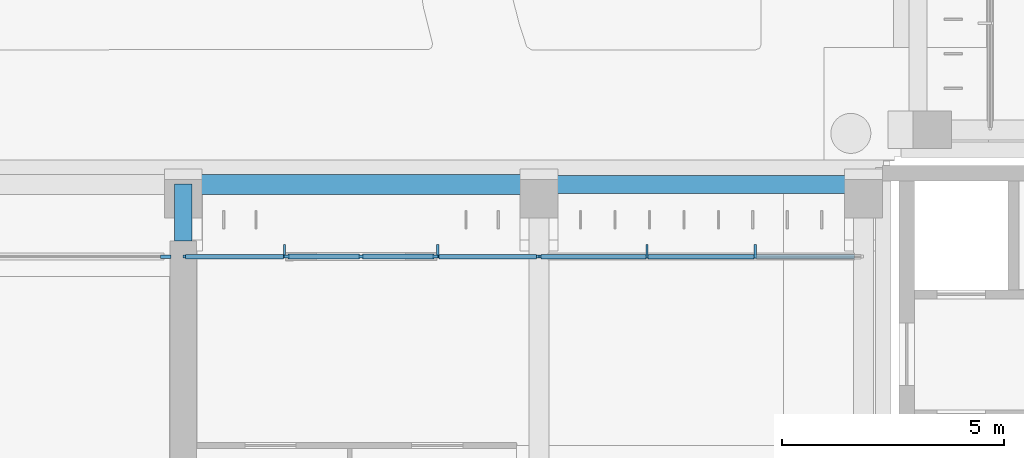
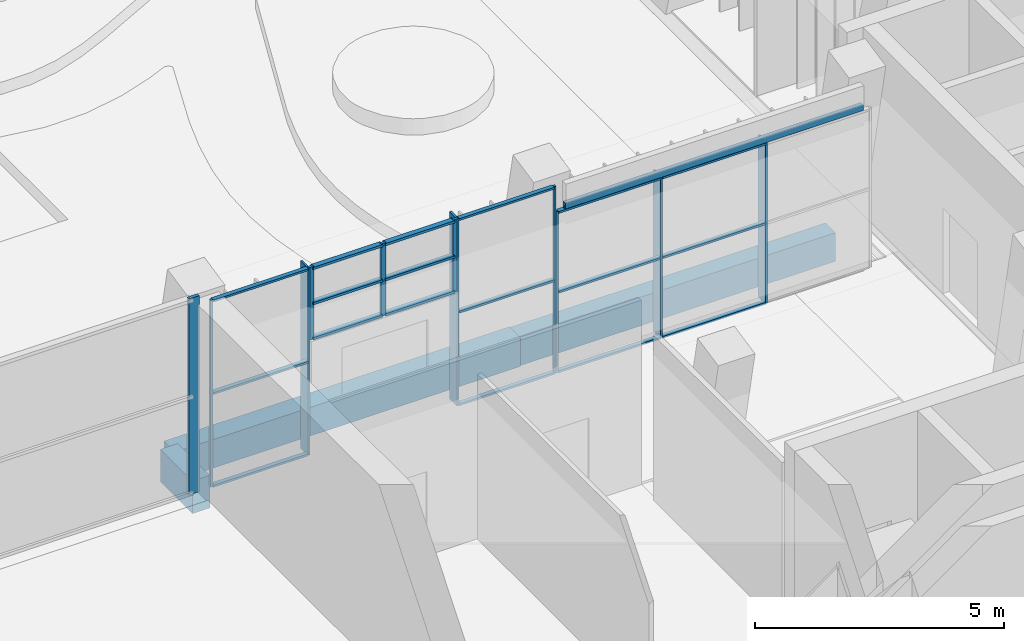
# One storey, part 68 of 144: 29 members, 4 beams, 5 elements without a shape of their own.
"""IFC4 building model written with IfcOpenShell, lengths in metres."""

from ifc_helpers import new_model, si_unit, direction, frame, origin, origin_2d, place, context, subcontext, project, spatial, rectangle, hollow_rectangle, extrude, material, material_profile, profile_set, type_object, element, aggregate, save


model = new_model("IFC4")

# Units and contexts
model_context = context("Model", 3, precision=1e-05, world=origin(), true_north=direction((0.0, 1.0)))
body_context = subcontext(model_context, "Body", "Model", "MODEL_VIEW")
ifc_project = project(units=[si_unit("LENGTHUNIT", "METRE"), si_unit("AREAUNIT", "SQUARE_METRE"), si_unit("VOLUMEUNIT", "CUBIC_METRE"), si_unit("PLANEANGLEUNIT", "RADIAN"), si_unit("MASSUNIT", "GRAM", prefix="KILO")], contexts=[model_context])

# Site, building, storey
site_placement = place(None, origin())
site = spatial("IfcSite", under=ifc_project, at=site_placement, CompositionType="ELEMENT")
building_placement = place(site_placement, origin())
building = spatial("IfcBuilding", under=site, at=building_placement, Name="Lantern Court Media Centre", CompositionType="ELEMENT")
storey_placement = place(building_placement, origin())
storey = spatial("IfcBuildingStorey", under=building, at=storey_placement, Name="L00", CompositionType="ELEMENT", Elevation=0.0)

# Curtain wall, member
ifc_material_1 = material(Name="Curtain wall bay 2400")
curtain_wall_type_1 = type_object("IfcCurtainWallType", Name="Curtain wall bay 2400", PredefinedType="NOTDEFINED", material=ifc_material_1)
curtain_wall_1_placement = place(storey_placement, origin())
curtain_wall_1 = element("IfcCurtainWall", 1, at=curtain_wall_1_placement, inside=storey, type_object=curtain_wall_type_1, Name="Curtain wall S inner L00", PredefinedType="NOTDEFINED")
ifc_material_2 = material(Name="Anodised aluminium", Category="aluminium")
ifc_material_profile_1 = material_profile(ifc_material_2, rectangle(XDim=0.300048828125, YDim=0.050048828125, at=origin_2d()), Name="AL 50x300")
ifc_profile_set_1 = profile_set([ifc_material_profile_1], Name="Anodised aluminium")
member_type_1 = type_object("IfcMemberType", Name="Curtain wall mullion 50x300", PredefinedType="MULLION", material=ifc_profile_set_1)
member_1_placement = place(storey_placement, frame((66.27490234375, 61.969970703125, 0.0), z_axis=(0.0, 0.0, 1.0), x_axis=(0.0, 1.0, 0.0)))
member_1 = element("IfcMember", 2, at=member_1_placement, type_object=member_type_1, Name="CW2 mullion 2", PredefinedType="MULLION", context=body_context, shape_type="SweptSolid", body=[
    extrude(rectangle(XDim=0.300048828125, YDim=0.050048828125, at=origin_2d()), origin(), (0.0, 0.0, 1.0), 4.580078125),
])

curtain_wall_2_placement = place(storey_placement, origin())
curtain_wall_2 = element("IfcCurtainWall", 3, at=curtain_wall_2_placement, inside=storey, type_object=curtain_wall_type_1, Name="Curtain wall S inner L00", PredefinedType="NOTDEFINED")
member_2_placement = place(storey_placement, frame((69.72509765625, 61.969970703125, 0.0), z_axis=(0.0, 0.0, 1.0), x_axis=(0.0, 1.0, 0.0)))
member_2 = element("IfcMember", 4, at=member_2_placement, type_object=member_type_1, Name="CW2 mullion 1", PredefinedType="MULLION", context=body_context, shape_type="SweptSolid", body=[
    extrude(rectangle(XDim=0.300048828125, YDim=0.050048828125, at=origin_2d()), origin(), (0.0, 0.0, 1.0), 4.580078125),
])

# Curtain wall, members
curtain_wall_3_placement = place(storey_placement, origin())
curtain_wall_3 = element("IfcCurtainWall", 5, at=curtain_wall_3_placement, inside=storey, type_object=curtain_wall_type_1, Name="Curtain wall S inner L00", PredefinedType="NOTDEFINED")
member_3_placement = place(storey_placement, frame((74.433349609375, 61.969970703125, 0.0), z_axis=(0.0, 0.0, 1.0), x_axis=(0.0, 1.0, 0.0)))
member_3 = element("IfcMember", 6, at=member_3_placement, type_object=member_type_1, Name="CW2 mullion 2", PredefinedType="MULLION", context=body_context, shape_type="SweptSolid", body=[
    extrude(rectangle(XDim=0.300048828125, YDim=0.050048828125, at=origin_2d()), origin(), (0.0, 0.0, 1.0), 3.949951171875),
])
member_4_placement = place(storey_placement, frame((76.86669921875, 61.969970703125, 0.0), z_axis=(0.0, 0.0, 1.0), x_axis=(0.0, 1.0, 0.0)))
member_4 = element("IfcMember", 7, at=member_4_placement, type_object=member_type_1, Name="CW2 mullion 3", PredefinedType="MULLION", context=body_context, shape_type="SweptSolid", body=[
    extrude(rectangle(XDim=0.300048828125, YDim=0.050048828125, at=origin_2d()), origin(), (0.0, 0.0, 1.0), 3.949951171875),
])

# Member
ifc_material_profile_2 = material_profile(ifc_material_2, rectangle(XDim=0.06005859375, YDim=0.050048828125, at=origin_2d()), Name="AL 50x60")
ifc_profile_set_2 = profile_set([ifc_material_profile_2], Name="Anodised aluminium")
member_type_2 = type_object("IfcMemberType", Name="Curtain wall mullion 50x60", PredefinedType="MULLION", material=ifc_profile_set_2)
member_5_placement = place(storey_placement, frame((64.02490234375, 61.85009765625, 0.0), z_axis=(0.0, 0.0, 1.0), x_axis=(0.0, 1.0, 0.0)))
member_5 = element("IfcMember", 8, at=member_5_placement, type_object=member_type_2, Name="CW2 mullion 1", PredefinedType="MULLION", context=body_context, shape_type="SweptSolid", body=[
    extrude(rectangle(XDim=0.06005859375, YDim=0.050048828125, at=origin_2d()), origin(), (0.0, 0.0, 1.0), 4.580078125),
])

member_6_placement = place(storey_placement, frame((71.97509765625, 61.85009765625, 0.0), z_axis=(0.0, 0.0, 1.0), x_axis=(0.0, 1.0, 0.0)))
member_6 = element("IfcMember", 9, at=member_6_placement, type_object=member_type_2, Name="CW2 mullion 2", PredefinedType="MULLION", context=body_context, shape_type="SweptSolid", body=[
    extrude(rectangle(XDim=0.06005859375, YDim=0.050048828125, at=origin_2d()), origin(), (0.0, 0.0, 1.0), 4.580078125),
])

member_7_placement = place(storey_placement, frame((72.02490234375, 61.85009765625, 0.0), z_axis=(0.0, 0.0, 1.0), x_axis=(0.0, 1.0, 0.0)))
member_7 = element("IfcMember", 10, at=member_7_placement, type_object=member_type_2, Name="CW2 mullion 1", PredefinedType="MULLION", context=body_context, shape_type="SweptSolid", body=[
    extrude(rectangle(XDim=0.06005859375, YDim=0.050048828125, at=origin_2d()), origin(), (0.0, 0.0, 1.0), 3.949951171875),
])

# Curtain wall, members
ifc_material_3 = material(Name="Curtain wall bay 1700")
curtain_wall_type_2 = type_object("IfcCurtainWallType", Name="Curtain wall bay 1700", PredefinedType="NOTDEFINED", material=ifc_material_3)
curtain_wall_4_placement = place(storey_placement, origin())
curtain_wall_4 = element("IfcCurtainWall", 11, at=curtain_wall_4_placement, inside=storey, type_object=curtain_wall_type_2, Name="Curtain wall S inner L00", PredefinedType="NOTDEFINED")
ifc_material_profile_3 = material_profile(ifc_material_2, rectangle(XDim=0.06005859375, YDim=0.1201171875, at=origin_2d()), Name="AL 60x120")
ifc_profile_set_3 = profile_set([ifc_material_profile_3], Name="Anodised aluminium")
member_type_3 = type_object("IfcMemberType", Name="Curtain wall mullion 60x120", PredefinedType="MULLION", material=ifc_profile_set_3)
member_8_placement = place(storey_placement, frame((66.330078125, 61.85009765625, 2.800048828125), z_axis=(0.0, 0.0, 1.0), x_axis=(0.0, 1.0, 0.0)))
member_8 = element("IfcMember", 12, at=member_8_placement, type_object=member_type_3, Name="CW4 mullion 1", PredefinedType="MULLION", context=body_context, shape_type="SweptSolid", body=[
    extrude(rectangle(XDim=0.06005859375, YDim=0.1201171875, at=origin_2d()), origin(), (0.0, 0.0, 1.0), 1.780029296875),
])
member_9_placement = place(storey_placement, frame((68.0, 61.85009765625, 2.800048828125), z_axis=(0.0, 0.0, 1.0), x_axis=(0.0, 1.0, 0.0)))
member_9 = element("IfcMember", 13, at=member_9_placement, type_object=member_type_3, Name="CW4 mullion 2", PredefinedType="MULLION", context=body_context, shape_type="SweptSolid", body=[
    extrude(rectangle(XDim=0.06005859375, YDim=0.1201171875, at=origin_2d()), origin(), (0.0, 0.0, 1.0), 1.780029296875),
])
member_10_placement = place(storey_placement, frame((69.669921875, 61.85009765625, 2.800048828125), z_axis=(0.0, 0.0, 1.0), x_axis=(0.0, 1.0, 0.0)))
member_10 = element("IfcMember", 14, at=member_10_placement, type_object=member_type_3, Name="CW4 mullion 3", PredefinedType="MULLION", context=body_context, shape_type="SweptSolid", body=[
    extrude(rectangle(XDim=0.06005859375, YDim=0.1201171875, at=origin_2d()), origin(), (0.0, 0.0, 1.0), 1.780029296875),
])

# Curtain wall, member
ifc_material_4 = material(Name="Curtain wall bay 4000")
curtain_wall_type_3 = type_object("IfcCurtainWallType", Name="Curtain wall bay 4000", PredefinedType="NOTDEFINED", material=ifc_material_4)
curtain_wall_5_placement = place(storey_placement, origin())
curtain_wall_5 = element("IfcCurtainWall", 15, at=curtain_wall_5_placement, inside=storey, type_object=curtain_wall_type_3, Name="Curtain wall S inner L00", PredefinedType="NOTDEFINED")
ifc_material_profile_4 = material_profile(ifc_material_2, rectangle(XDim=0.080078125, YDim=0.239990234375, at=origin_2d()), Name="AL 80x240")
ifc_profile_set_4 = profile_set([ifc_material_profile_4], Name="Anodised aluminium")
member_type_4 = type_object("IfcMemberType", Name="Curtain wall mullion 80x240", PredefinedType="MULLION", material=ifc_profile_set_4)
member_11_placement = place(storey_placement, frame((63.610107421875, 61.85009765625, 0.0), z_axis=(0.0, 0.0, 1.0), x_axis=(0.0, 1.0, 0.0)))
member_11 = element("IfcMember", 16, at=member_11_placement, type_object=member_type_4, Name="CW3 mullion 3", PredefinedType="MULLION", context=body_context, shape_type="SweptSolid", body=[
    extrude(rectangle(XDim=0.080078125, YDim=0.239990234375, at=origin_2d()), origin(), (0.0, 0.0, 1.0), 4.800048828125),
])
aggregate(curtain_wall_5, [member_11])

# Member
ifc_material_profile_5 = material_profile(ifc_material_2, rectangle(XDim=0.10009765625, YDim=0.050048828125, at=origin_2d()), Name="AL 50x100")
ifc_profile_set_5 = profile_set([ifc_material_profile_5], Name="Anodised aluminium")
member_type_5 = type_object("IfcMemberType", Name="Curtain wall transom 100x50", PredefinedType="USERDEFINED", material=ifc_profile_set_5)
member_12_placement = place(storey_placement, frame((64.050048828125, 61.85009765625, 0.02490234375), z_axis=(1.0, 0.0, 0.0), x_axis=(0.0, 1.0, 0.0)))
member_12 = element("IfcMember", 17, at=member_12_placement, type_object=member_type_5, Name="CW2 transom 1.1", ObjectType="TRANSOM", PredefinedType="USERDEFINED", context=body_context, shape_type="SweptSolid", body=[
    extrude(rectangle(XDim=0.10009765625, YDim=0.050048828125, at=origin_2d()), origin(), (0.0, 0.0, 1.0), 2.199951171875),
])

member_13_placement = place(storey_placement, frame((64.050048828125, 61.85009765625, 2.2900390625), z_axis=(1.0, 0.0, 0.0), x_axis=(0.0, 1.0, 0.0)))
member_13 = element("IfcMember", 18, at=member_13_placement, type_object=member_type_5, Name="CW2 transom 1.2", ObjectType="TRANSOM", PredefinedType="USERDEFINED", context=body_context, shape_type="SweptSolid", body=[
    extrude(rectangle(XDim=0.10009765625, YDim=0.050048828125, at=origin_2d()), origin(), (0.0, 0.0, 1.0), 2.199951171875),
])

member_14_placement = place(storey_placement, frame((64.050048828125, 61.85009765625, 4.554931640625), z_axis=(1.0, 0.0, 0.0), x_axis=(0.0, 1.0, 0.0)))
member_14 = element("IfcMember", 19, at=member_14_placement, type_object=member_type_5, Name="CW2 transom 1.3", ObjectType="TRANSOM", PredefinedType="USERDEFINED", context=body_context, shape_type="SweptSolid", body=[
    extrude(rectangle(XDim=0.10009765625, YDim=0.050048828125, at=origin_2d()), origin(), (0.0, 0.0, 1.0), 2.199951171875),
])

aggregate(curtain_wall_1, [member_5, member_1, member_12, member_13, member_14])

member_15_placement = place(storey_placement, frame((69.75, 61.85009765625, 0.02490234375), z_axis=(1.0, 0.0, 0.0), x_axis=(0.0, 1.0, 0.0)))
member_15 = element("IfcMember", 20, at=member_15_placement, type_object=member_type_5, Name="CW2 transom 1.1", ObjectType="TRANSOM", PredefinedType="USERDEFINED", context=body_context, shape_type="SweptSolid", body=[
    extrude(rectangle(XDim=0.10009765625, YDim=0.050048828125, at=origin_2d()), origin(), (0.0, 0.0, 1.0), 2.199951171875),
])

member_16_placement = place(storey_placement, frame((69.75, 61.85009765625, 2.2900390625), z_axis=(1.0, 0.0, 0.0), x_axis=(0.0, 1.0, 0.0)))
member_16 = element("IfcMember", 21, at=member_16_placement, type_object=member_type_5, Name="CW2 transom 1.2", ObjectType="TRANSOM", PredefinedType="USERDEFINED", context=body_context, shape_type="SweptSolid", body=[
    extrude(rectangle(XDim=0.10009765625, YDim=0.050048828125, at=origin_2d()), origin(), (0.0, 0.0, 1.0), 2.199951171875),
])

member_17_placement = place(storey_placement, frame((69.75, 61.85009765625, 4.554931640625), z_axis=(1.0, 0.0, 0.0), x_axis=(0.0, 1.0, 0.0)))
member_17 = element("IfcMember", 22, at=member_17_placement, type_object=member_type_5, Name="CW2 transom 1.3", ObjectType="TRANSOM", PredefinedType="USERDEFINED", context=body_context, shape_type="SweptSolid", body=[
    extrude(rectangle(XDim=0.10009765625, YDim=0.050048828125, at=origin_2d()), origin(), (0.0, 0.0, 1.0), 2.199951171875),
])

aggregate(curtain_wall_2, [member_2, member_6, member_15, member_16, member_17])

member_18_placement = place(storey_placement, frame((72.050048828125, 61.85009765625, 0.02490234375), z_axis=(1.0, 0.0, 0.0), x_axis=(0.0, 1.0, 0.0)))
member_18 = element("IfcMember", 23, at=member_18_placement, type_object=member_type_5, Name="CW2 transom 1.1", ObjectType="TRANSOM", PredefinedType="USERDEFINED", context=body_context, shape_type="SweptSolid", body=[
    extrude(rectangle(XDim=0.10009765625, YDim=0.050048828125, at=origin_2d()), origin(), (0.0, 0.0, 1.0), 2.3583984375),
])

member_19_placement = place(storey_placement, frame((72.050048828125, 61.85009765625, 1.97509765625), z_axis=(1.0, 0.0, 0.0), x_axis=(0.0, 1.0, 0.0)))
member_19 = element("IfcMember", 24, at=member_19_placement, type_object=member_type_5, Name="CW2 transom 1.2", ObjectType="TRANSOM", PredefinedType="USERDEFINED", context=body_context, shape_type="SweptSolid", body=[
    extrude(rectangle(XDim=0.10009765625, YDim=0.050048828125, at=origin_2d()), origin(), (0.0, 0.0, 1.0), 2.3583984375),
])

member_20_placement = place(storey_placement, frame((72.050048828125, 61.85009765625, 3.925048828125), z_axis=(1.0, 0.0, 0.0), x_axis=(0.0, 1.0, 0.0)))
member_20 = element("IfcMember", 25, at=member_20_placement, type_object=member_type_5, Name="CW2 transom 1.3", ObjectType="TRANSOM", PredefinedType="USERDEFINED", context=body_context, shape_type="SweptSolid", body=[
    extrude(rectangle(XDim=0.10009765625, YDim=0.050048828125, at=origin_2d()), origin(), (0.0, 0.0, 1.0), 2.3583984375),
])

member_21_placement = place(storey_placement, frame((74.458251953125, 61.85009765625, 0.02490234375), z_axis=(1.0, 0.0, 0.0), x_axis=(0.0, 1.0, 0.0)))
member_21 = element("IfcMember", 26, at=member_21_placement, type_object=member_type_5, Name="CW2 transom 2.1", ObjectType="TRANSOM", PredefinedType="USERDEFINED", context=body_context, shape_type="SweptSolid", body=[
    extrude(rectangle(XDim=0.10009765625, YDim=0.050048828125, at=origin_2d()), origin(), (0.0, 0.0, 1.0), 2.38330078125),
])

member_22_placement = place(storey_placement, frame((74.458251953125, 61.85009765625, 1.97509765625), z_axis=(1.0, 0.0, 0.0), x_axis=(0.0, 1.0, 0.0)))
member_22 = element("IfcMember", 27, at=member_22_placement, type_object=member_type_5, Name="CW2 transom 2.2", ObjectType="TRANSOM", PredefinedType="USERDEFINED", context=body_context, shape_type="SweptSolid", body=[
    extrude(rectangle(XDim=0.10009765625, YDim=0.050048828125, at=origin_2d()), origin(), (0.0, 0.0, 1.0), 2.38330078125),
])

member_23_placement = place(storey_placement, frame((74.458251953125, 61.85009765625, 3.925048828125), z_axis=(1.0, 0.0, 0.0), x_axis=(0.0, 1.0, 0.0)))
member_23 = element("IfcMember", 28, at=member_23_placement, type_object=member_type_5, Name="CW2 transom 2.3", ObjectType="TRANSOM", PredefinedType="USERDEFINED", context=body_context, shape_type="SweptSolid", body=[
    extrude(rectangle(XDim=0.10009765625, YDim=0.050048828125, at=origin_2d()), origin(), (0.0, 0.0, 1.0), 2.38330078125),
])

aggregate(curtain_wall_3, [member_7, member_3, member_4, member_18, member_19, member_20, member_21, member_22, member_23])

ifc_material_profile_6 = material_profile(ifc_material_2, rectangle(XDim=0.1201171875, YDim=0.06005859375, at=origin_2d()), Name="AL 60x120")
ifc_profile_set_6 = profile_set([ifc_material_profile_6], Name="Anodised aluminium")
member_type_6 = type_object("IfcMemberType", Name="Curtain wall transom 60x120", PredefinedType="USERDEFINED", material=ifc_profile_set_6)
member_24_placement = place(storey_placement, frame((66.360107421875, 61.85009765625, 2.830078125), z_axis=(1.0, 0.0, 0.0), x_axis=(0.0, 1.0, 0.0)))
member_24 = element("IfcMember", 29, at=member_24_placement, type_object=member_type_6, Name="CW4 transom 1.1", ObjectType="TRANSOM", PredefinedType="USERDEFINED", context=body_context, shape_type="SweptSolid", body=[
    extrude(rectangle(XDim=0.1201171875, YDim=0.06005859375, at=origin_2d()), origin(), (0.0, 0.0, 1.0), 1.60986328125),
])

member_25_placement = place(storey_placement, frame((66.360107421875, 61.85009765625, 3.68994140625), z_axis=(1.0, 0.0, 0.0), x_axis=(0.0, 1.0, 0.0)))
member_25 = element("IfcMember", 30, at=member_25_placement, type_object=member_type_6, Name="CW4 transom 1.2", ObjectType="TRANSOM", PredefinedType="USERDEFINED", context=body_context, shape_type="SweptSolid", body=[
    extrude(rectangle(XDim=0.1201171875, YDim=0.06005859375, at=origin_2d()), origin(), (0.0, 0.0, 1.0), 1.60986328125),
])

member_26_placement = place(storey_placement, frame((66.360107421875, 61.85009765625, 4.550048828125), z_axis=(1.0, 0.0, 0.0), x_axis=(0.0, 1.0, 0.0)))
member_26 = element("IfcMember", 31, at=member_26_placement, type_object=member_type_6, Name="CW4 transom 1.3", ObjectType="TRANSOM", PredefinedType="USERDEFINED", context=body_context, shape_type="SweptSolid", body=[
    extrude(rectangle(XDim=0.1201171875, YDim=0.06005859375, at=origin_2d()), origin(), (0.0, 0.0, 1.0), 1.60986328125),
])

member_27_placement = place(storey_placement, frame((68.030029296875, 61.85009765625, 2.830078125), z_axis=(1.0, 0.0, 0.0), x_axis=(0.0, 1.0, 0.0)))
member_27 = element("IfcMember", 32, at=member_27_placement, type_object=member_type_6, Name="CW4 transom 2.1", ObjectType="TRANSOM", PredefinedType="USERDEFINED", context=body_context, shape_type="SweptSolid", body=[
    extrude(rectangle(XDim=0.1201171875, YDim=0.06005859375, at=origin_2d()), origin(), (0.0, 0.0, 1.0), 1.60986328125),
])

member_28_placement = place(storey_placement, frame((68.030029296875, 61.85009765625, 3.68994140625), z_axis=(1.0, 0.0, 0.0), x_axis=(0.0, 1.0, 0.0)))
member_28 = element("IfcMember", 33, at=member_28_placement, type_object=member_type_6, Name="CW4 transom 2.2", ObjectType="TRANSOM", PredefinedType="USERDEFINED", context=body_context, shape_type="SweptSolid", body=[
    extrude(rectangle(XDim=0.1201171875, YDim=0.06005859375, at=origin_2d()), origin(), (0.0, 0.0, 1.0), 1.60986328125),
])

member_29_placement = place(storey_placement, frame((68.030029296875, 61.85009765625, 4.550048828125), z_axis=(1.0, 0.0, 0.0), x_axis=(0.0, 1.0, 0.0)))
member_29 = element("IfcMember", 34, at=member_29_placement, type_object=member_type_6, Name="CW4 transom 2.3", ObjectType="TRANSOM", PredefinedType="USERDEFINED", context=body_context, shape_type="SweptSolid", body=[
    extrude(rectangle(XDim=0.1201171875, YDim=0.06005859375, at=origin_2d()), origin(), (0.0, 0.0, 1.0), 1.60986328125),
])

aggregate(curtain_wall_4, [member_8, member_9, member_10, member_24, member_25, member_26, member_27, member_28, member_29])

# Beams
ifc_material_5 = material(Name="Steel S355J2 (EN 10025-2)", Category="steel")
ifc_material_profile_7 = material_profile(ifc_material_5, hollow_rectangle(XDim=0.10009765625, YDim=0.14990234375, WallThickness=0.00634765625, InnerFilletRadius=0.00634765625, OuterFilletRadius=0.009521484375, at=origin_2d()), Name="Facade head lintel RHS 150x100x6.3")
ifc_profile_set_7 = profile_set([ifc_material_profile_7], Name="Steel S355J2 (EN 10025-2)")
beam_type_1 = type_object("IfcBeamType", Name="Facade head lintel RHS 150x100x6.3", PredefinedType="BEAM", material=ifc_profile_set_7)
beam_1_placement = place(storey_placement, frame((72.199951171875, 61.85009765625, 4.02490234375), z_axis=(1.0, 0.0, 0.0), x_axis=(0.0, 1.0, 0.0)))
element("IfcBeam", 35, at=beam_1_placement, inside=storey, type_object=beam_type_1, Name="Facade head lintel S L00", PredefinedType="BEAM", context=body_context, shape_type="SweptSolid", body=[
    extrude(hollow_rectangle(XDim=0.10009765625, YDim=0.14990234375, WallThickness=0.00634765625, InnerFilletRadius=0.00634765625, OuterFilletRadius=0.009521484375, at=origin_2d()), origin(), (0.0, 0.0, 1.0), 6.900146484375),
])
ifc_material_6 = material(Name="Concrete C35", Category="concrete")
ifc_material_profile_8 = material_profile(ifc_material_6, rectangle(XDim=0.39990234375, YDim=0.699951171875, at=origin_2d()), Name="RC 400x700")
ifc_profile_set_8 = profile_set([ifc_material_profile_8], Name="Concrete C35")
beam_type_2 = type_object("IfcBeamType", Name="RC BEAM 400x700", PredefinedType="BEAM", material=ifc_profile_set_8)
beam_2_placement = place(storey_placement, frame((72.0, 63.472900390625, -0.35009765625), z_axis=(1.0, 0.0, 0.0), x_axis=(0.0, 1.0, 0.0)))
element("IfcBeam", 36, at=beam_2_placement, inside=storey, type_object=beam_type_2, Name="LB-S-L00-2-6", PredefinedType="BEAM", context=body_context, shape_type="SweptSolid", body=[
    extrude(rectangle(XDim=0.39990234375, YDim=0.699951171875, at=origin_2d()), origin(), (0.0, 0.0, 1.0), 7.300048828125),
])
ifc_material_profile_9 = material_profile(ifc_material_6, rectangle(XDim=0.39990234375, YDim=0.800048828125, at=origin_2d()), Name="RC 400x800")
ifc_profile_set_9 = profile_set([ifc_material_profile_9], Name="Concrete C35")
beam_type_3 = type_object("IfcBeamType", Name="RC BEAM 400x800", PredefinedType="BEAM", material=ifc_profile_set_9)
beam_3_placement = place(storey_placement, frame((64.0, 62.199951171875, -0.39990234375), z_axis=(0.0, 1.0, 0.0), x_axis=(-1.0, 0.0, 0.0)))
element("IfcBeam", 37, at=beam_3_placement, inside=storey, type_object=beam_type_3, Name="TB-S-L00-5-2", PredefinedType="BEAM", context=body_context, shape_type="SweptSolid", body=[
    extrude(rectangle(XDim=0.39990234375, YDim=0.800048828125, at=origin_2d()), origin(), (0.0, 0.0, 1.0), 1.283447265625),
])
ifc_material_profile_10 = material_profile(ifc_material_6, rectangle(XDim=0.449951171875, YDim=0.699951171875, at=origin_2d()), Name="RC 450x700")
ifc_profile_set_10 = profile_set([ifc_material_profile_10], Name="Concrete C35")
beam_type_4 = type_object("IfcBeamType", Name="RC BEAM 450x700", PredefinedType="BEAM", material=ifc_profile_set_10)
beam_4_placement = place(storey_placement, frame((64.0, 63.472900390625, -0.35009765625), z_axis=(1.0, 0.0, 0.0), x_axis=(0.0, 1.0, 0.0)))
element("IfcBeam", 38, at=beam_4_placement, inside=storey, type_object=beam_type_4, Name="LB-S-L00-2-5", PredefinedType="BEAM", context=body_context, shape_type="SweptSolid", body=[
    extrude(rectangle(XDim=0.449951171875, YDim=0.699951171875, at=origin_2d()), origin(), (0.0, 0.0, 1.0), 8.0),
])

save(model, "model.ifc")
